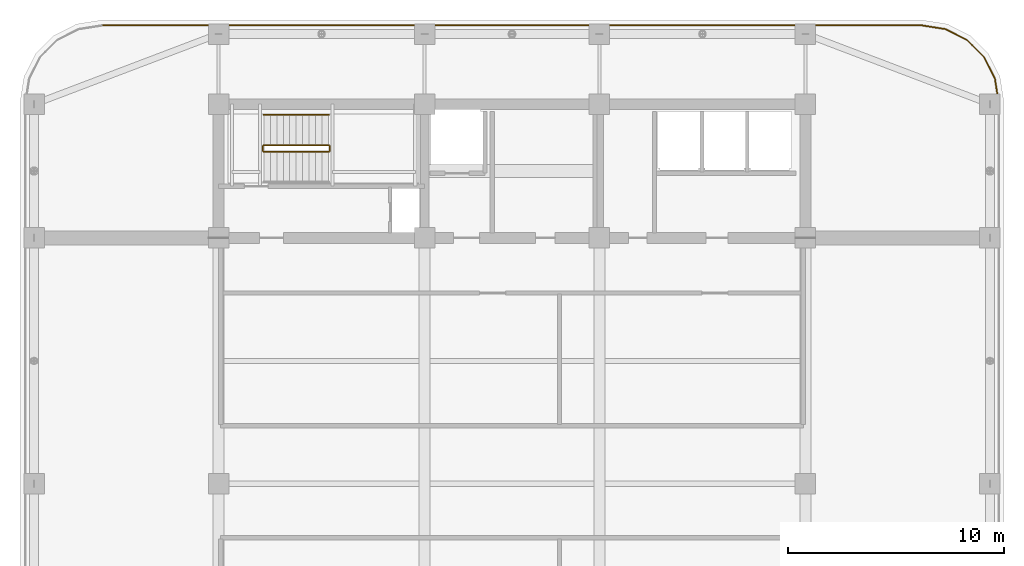
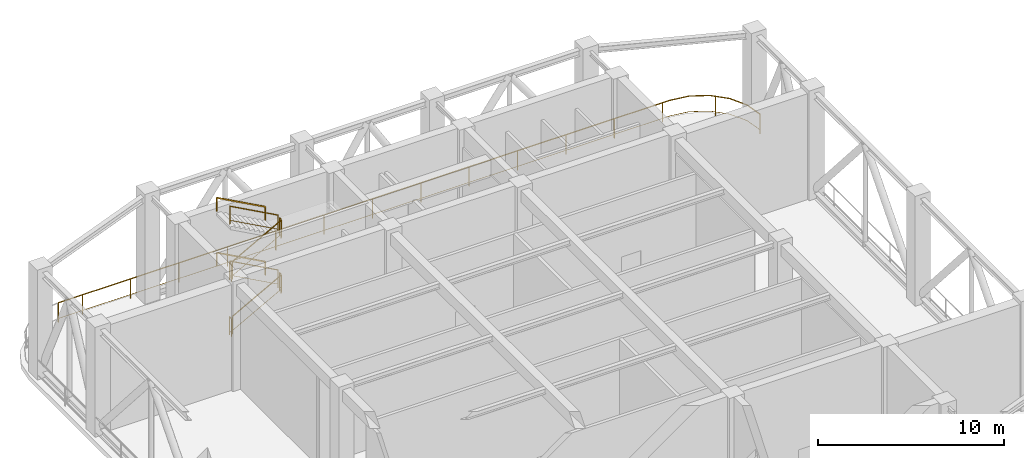
# One storey, part 20 of 20: 11 railings.
"""IFC4 building model written with IfcOpenShell, lengths in metres."""

from ifc_helpers import new_model, si_unit, direction, frame, origin, origin_2d, place, context, subcontext, project, spatial, rectangle, extrude, material, type_object, element, save


model = new_model("IFC4")

# Units and contexts
model_context = context("Model", 3, precision=1e-05, world=origin(), true_north=direction((0.0, 1.0)))
body_context = subcontext(model_context, "Body", "Model", "MODEL_VIEW")
ifc_project = project(units=[si_unit("LENGTHUNIT", "METRE"), si_unit("AREAUNIT", "SQUARE_METRE"), si_unit("VOLUMEUNIT", "CUBIC_METRE"), si_unit("PLANEANGLEUNIT", "RADIAN"), si_unit("MASSUNIT", "GRAM", prefix="KILO")], contexts=[model_context])

# Site, building, storey
site_placement = place(None, origin())
site = spatial("IfcSite", under=ifc_project, at=site_placement, CompositionType="ELEMENT")
building_placement = place(site_placement, origin())
building = spatial("IfcBuilding", under=site, at=building_placement, Name="Svetorya Sky Lyceum", CompositionType="ELEMENT")
storey_placement = place(building_placement, frame((0.0, 0.0, 195.89990234375)))
storey = spatial("IfcBuildingStorey", under=building, at=storey_placement, Name="L49", CompositionType="ELEMENT", Elevation=195.89990234375)

# Railings
ifc_material_1 = material(Name="Hot-dip galvanized wind-portal guard")
railing_type_1 = type_object("IfcRailingType", Name="RL-PRT-1300", PredefinedType="GUARDRAIL", material=ifc_material_1)
railing_1_placement = place(storey_placement, frame((61.75, 45.89990234375, 0.0)))
element("IfcRailing", 1, at=railing_1_placement, inside=storey, type_object=railing_type_1, Name="L49 Wind-Portal Deck Guard Quadrant 3", PredefinedType="GUARDRAIL", context=body_context, shape_type="SweptSolid", body=[
    extrude(rectangle(XDim=0.048095703125, YDim=0.048095703125, at=origin_2d()), frame((0.0, 0.0, 1.27587890625), z_axis=(-0.156267295296, 0.98771480318, 0.0), x_axis=(-0.98771480318, -0.156267295296, 0.0)), (0.0, 0.0, 1.0), 1.11083984375),
    extrude(rectangle(XDim=0.02392578125, YDim=0.02392578125, at=origin_2d()), frame((0.0, 0.0, 0.25), z_axis=(-0.156267295296, 0.98771480318, 0.0), x_axis=(-0.98771480318, -0.156267295296, 0.0)), (0.0, 0.0, 1.0), 1.11083984375),
    extrude(rectangle(XDim=0.048095703125, YDim=0.048095703125, at=origin_2d()), frame((-0.173583984375, 1.09716796875, 1.27587890625), z_axis=(-0.454146394371, 0.890927074726, 0.0), x_axis=(-0.890927074726, -0.454146394371, 0.0)), (0.0, 0.0, 1.0), 1.110595703125),
    extrude(rectangle(XDim=0.02392578125, YDim=0.02392578125, at=origin_2d()), frame((-0.173583984375, 1.09716796875, 0.25), z_axis=(-0.454146394371, 0.890927074726, 0.0), x_axis=(-0.890927074726, -0.454146394371, 0.0)), (0.0, 0.0, 1.0), 1.110595703125),
    extrude(rectangle(XDim=0.048095703125, YDim=0.048095703125, at=origin_2d()), frame((-0.677978515625, 2.086669921875, 1.27587890625), z_axis=(-0.707106781187, 0.707106781187, 0.0), x_axis=(-0.707106781187, -0.707106781187, 0.0)), (0.0, 0.0, 1.0), 1.11083984375),
    extrude(rectangle(XDim=0.02392578125, YDim=0.02392578125, at=origin_2d()), frame((-0.677978515625, 2.086669921875, 0.25), z_axis=(-0.707106781187, 0.707106781187, 0.0), x_axis=(-0.707106781187, -0.707106781187, 0.0)), (0.0, 0.0, 1.0), 1.11083984375),
    extrude(rectangle(XDim=0.048095703125, YDim=0.048095703125, at=origin_2d()), frame((-1.46337890625, 2.8720703125, 1.27587890625), z_axis=(-0.890927074726, 0.454146394371, 0.0), x_axis=(-0.454146394371, -0.890927074726, 0.0)), (0.0, 0.0, 1.0), 1.110595703125),
    extrude(rectangle(XDim=0.02392578125, YDim=0.02392578125, at=origin_2d()), frame((-1.46337890625, 2.8720703125, 0.25), z_axis=(-0.890927074726, 0.454146394371, 0.0), x_axis=(-0.454146394371, -0.890927074726, 0.0)), (0.0, 0.0, 1.0), 1.110595703125),
    extrude(rectangle(XDim=0.048095703125, YDim=0.048095703125, at=origin_2d()), frame((-2.452880859375, 3.37646484375, 1.27587890625), z_axis=(-0.98771480318, 0.156267295296, 0.0), x_axis=(-0.156267295296, -0.98771480318, 0.0)), (0.0, 0.0, 1.0), 1.11083984375),
    extrude(rectangle(XDim=0.02392578125, YDim=0.02392578125, at=origin_2d()), frame((-2.452880859375, 3.37646484375, 0.25), z_axis=(-0.98771480318, 0.156267295296, 0.0), x_axis=(-0.156267295296, -0.98771480318, 0.0)), (0.0, 0.0, 1.0), 1.11083984375),
    extrude(rectangle(XDim=0.048095703125, YDim=0.048095703125, at=origin_2d()), frame((-3.550048828125, 3.550048828125, 1.27587890625), z_axis=(-1.0, 0.0, 0.0), x_axis=(0.0, -1.0, 0.0)), (0.0, 0.0, 1.0), 37.93994140625),
    extrude(rectangle(XDim=0.02392578125, YDim=0.02392578125, at=origin_2d()), frame((-3.550048828125, 3.550048828125, 0.25), z_axis=(-1.0, 0.0, 0.0), x_axis=(0.0, -1.0, 0.0)), (0.0, 0.0, 1.0), 37.93994140625),
    extrude(rectangle(XDim=0.0419921875, YDim=0.0419921875, at=origin_2d()), origin(), (0.0, 0.0, 1.0), 1.251953125),
    extrude(rectangle(XDim=0.0419921875, YDim=0.0419921875, at=origin_2d()), frame((-1.228515625, 2.63720703125, 0.0)), (0.0, 0.0, 1.0), 1.251953125),
    extrude(rectangle(XDim=0.0419921875, YDim=0.0419921875, at=origin_2d()), frame((-3.996337890625, 3.550048828125, 0.0)), (0.0, 0.0, 1.0), 1.251953125),
    extrude(rectangle(XDim=0.0419921875, YDim=0.0419921875, at=origin_2d()), frame((-6.996337890625, 3.550048828125, 0.0)), (0.0, 0.0, 1.0), 1.251953125),
    extrude(rectangle(XDim=0.0419921875, YDim=0.0419921875, at=origin_2d()), frame((-9.996337890625, 3.550048828125, 0.0)), (0.0, 0.0, 1.0), 1.251953125),
    extrude(rectangle(XDim=0.0419921875, YDim=0.0419921875, at=origin_2d()), frame((-12.996337890625, 3.550048828125, 0.0)), (0.0, 0.0, 1.0), 1.251953125),
    extrude(rectangle(XDim=0.0419921875, YDim=0.0419921875, at=origin_2d()), frame((-15.996337890625, 3.550048828125, 0.0)), (0.0, 0.0, 1.0), 1.251953125),
    extrude(rectangle(XDim=0.0419921875, YDim=0.0419921875, at=origin_2d()), frame((-18.996337890625, 3.550048828125, 0.0)), (0.0, 0.0, 1.0), 1.251953125),
    extrude(rectangle(XDim=0.0419921875, YDim=0.0419921875, at=origin_2d()), frame((-21.996337890625, 3.550048828125, 0.0)), (0.0, 0.0, 1.0), 1.251953125),
    extrude(rectangle(XDim=0.0419921875, YDim=0.0419921875, at=origin_2d()), frame((-24.996337890625, 3.550048828125, 0.0)), (0.0, 0.0, 1.0), 1.251953125),
    extrude(rectangle(XDim=0.0419921875, YDim=0.0419921875, at=origin_2d()), frame((-27.996337890625, 3.550048828125, 0.0)), (0.0, 0.0, 1.0), 1.251953125),
    extrude(rectangle(XDim=0.0419921875, YDim=0.0419921875, at=origin_2d()), frame((-30.996337890625, 3.550048828125, 0.0)), (0.0, 0.0, 1.0), 1.251953125),
    extrude(rectangle(XDim=0.0419921875, YDim=0.0419921875, at=origin_2d()), frame((-33.996337890625, 3.550048828125, 0.0)), (0.0, 0.0, 1.0), 1.251953125),
    extrude(rectangle(XDim=0.0419921875, YDim=0.0419921875, at=origin_2d()), frame((-36.996337890625, 3.550048828125, 0.0)), (0.0, 0.0, 1.0), 1.251953125),
    extrude(rectangle(XDim=0.0419921875, YDim=0.0419921875, at=origin_2d()), frame((-39.996337890625, 3.550048828125, 0.0)), (0.0, 0.0, 1.0), 1.251953125),
    extrude(rectangle(XDim=0.0419921875, YDim=0.0419921875, at=origin_2d()), frame((-41.489990234375, 3.550048828125, 0.0)), (0.0, 0.0, 1.0), 1.251953125),
])
ifc_material_2 = material(Name="Painted galvanized stair well guard")
railing_type_2 = type_object("IfcRailingType", Name="RL-STR-GUARD-1200", PredefinedType="GUARDRAIL", material=ifc_material_2)
railing_2_placement = place(storey_placement, frame((27.699951171875, 43.60009765625, 0.163818359375)))
element("IfcRailing", 2, at=railing_2_placement, inside=storey, type_object=railing_type_2, Name="L49 ST-N stair guard 1", PredefinedType="GUARDRAIL", context=body_context, shape_type="SweptSolid", body=[
    extrude(rectangle(XDim=0.048095703125, YDim=0.048095703125, at=origin_2d()), frame((0.0, 0.0, 1.17578125), z_axis=(0.877911954615, 0.0, 0.47882209634), x_axis=(0.0, 1.0, 0.0)), (0.0, 0.0, 1.0), 3.417236328125),
    extrude(rectangle(XDim=0.02392578125, YDim=0.02392578125, at=origin_2d()), frame((0.0, 0.0, 0.25), z_axis=(0.877911954615, 0.0, 0.47882209634), x_axis=(0.0, 1.0, 0.0)), (0.0, 0.0, 1.0), 3.417236328125),
    extrude(rectangle(XDim=0.0419921875, YDim=0.0419921875, at=origin_2d()), origin(), (0.0, 0.0, 1.0), 1.15185546875),
    extrude(rectangle(XDim=0.0419921875, YDim=0.0419921875, at=origin_2d()), frame((3.0, 0.0, 1.63623046875)), (0.0, 0.0, 1.0), 1.15185546875),
])
railing_3_placement = place(storey_placement, frame((30.75, 43.64990234375, 1.800048828125)))
element("IfcRailing", 3, at=railing_3_placement, inside=storey, type_object=railing_type_2, Name="L49 ST-N stair guard 2", PredefinedType="GUARDRAIL", context=body_context, shape_type="SweptSolid", body=[
    extrude(rectangle(XDim=0.048095703125, YDim=0.048095703125, at=origin_2d()), frame((0.0, 0.0, 1.17578125), z_axis=(0.0, 1.0, 0.0), x_axis=(-1.0, 0.0, 0.0)), (0.0, 0.0, 1.0), 0.2001953125),
    extrude(rectangle(XDim=0.02392578125, YDim=0.02392578125, at=origin_2d()), frame((0.0, 0.0, 0.25), z_axis=(0.0, 1.0, 0.0), x_axis=(-1.0, 0.0, 0.0)), (0.0, 0.0, 1.0), 0.2001953125),
    extrude(rectangle(XDim=0.0419921875, YDim=0.0419921875, at=origin_2d()), origin(), (0.0, 0.0, 1.0), 1.15185546875),
    extrude(rectangle(XDim=0.0419921875, YDim=0.0419921875, at=origin_2d()), frame((0.0, 0.2001953125, 0.0)), (0.0, 0.0, 1.0), 1.15185546875),
])
railing_4_placement = place(storey_placement, frame((30.699951171875, 43.89990234375, 1.963623046875)))
element("IfcRailing", 4, at=railing_4_placement, inside=storey, type_object=railing_type_2, Name="L49 ST-N stair guard 3", PredefinedType="GUARDRAIL", context=body_context, shape_type="SweptSolid", body=[
    extrude(rectangle(XDim=0.048095703125, YDim=0.048095703125, at=origin_2d()), frame((0.0, 0.0, 1.17578125), z_axis=(-0.877881921179, 0.0, 0.478877158013), x_axis=(0.0, -1.0, 0.0)), (0.0, 0.0, 1.0), 3.417236328125),
    extrude(rectangle(XDim=0.02392578125, YDim=0.02392578125, at=origin_2d()), frame((0.0, 0.0, 0.25), z_axis=(-0.877881921179, 0.0, 0.478877158013), x_axis=(0.0, -1.0, 0.0)), (0.0, 0.0, 1.0), 3.417236328125),
    extrude(rectangle(XDim=0.0419921875, YDim=0.0419921875, at=origin_2d()), origin(), (0.0, 0.0, 1.0), 1.15185546875),
    extrude(rectangle(XDim=0.0419921875, YDim=0.0419921875, at=origin_2d()), frame((-3.0, 0.0, 1.636474609375)), (0.0, 0.0, 1.0), 1.15185546875),
])
railing_5_placement = place(storey_placement, frame((27.64990234375, 43.64990234375, 3.60009765625)))
element("IfcRailing", 5, at=railing_5_placement, inside=storey, type_object=railing_type_2, Name="L49 ST-N stair guard 4", PredefinedType="GUARDRAIL", context=body_context, shape_type="SweptSolid", body=[
    extrude(rectangle(XDim=0.048095703125, YDim=0.048095703125, at=origin_2d()), frame((0.0, 0.0, 1.17578125), z_axis=(0.0, 1.0, 0.0), x_axis=(-1.0, 0.0, 0.0)), (0.0, 0.0, 1.0), 0.2001953125),
    extrude(rectangle(XDim=0.02392578125, YDim=0.02392578125, at=origin_2d()), frame((0.0, 0.0, 0.25), z_axis=(0.0, 1.0, 0.0), x_axis=(-1.0, 0.0, 0.0)), (0.0, 0.0, 1.0), 0.2001953125),
    extrude(rectangle(XDim=0.0419921875, YDim=0.0419921875, at=origin_2d()), origin(), (0.0, 0.0, 1.0), 1.15185546875),
    extrude(rectangle(XDim=0.0419921875, YDim=0.0419921875, at=origin_2d()), frame((0.0, 0.2001953125, 0.0)), (0.0, 0.0, 1.0), 1.15185546875),
])
railing_6_placement = place(storey_placement, frame((27.699951171875, 43.60009765625, 3.763671875)))
element("IfcRailing", 6, at=railing_6_placement, inside=storey, type_object=railing_type_2, Name="L49 ST-N stair guard 5", PredefinedType="GUARDRAIL", context=body_context, shape_type="SweptSolid", body=[
    extrude(rectangle(XDim=0.048095703125, YDim=0.048095703125, at=origin_2d()), frame((0.0, 0.0, 1.17578125), z_axis=(0.877881921179, 0.0, 0.478877158013), x_axis=(0.0, 1.0, 0.0)), (0.0, 0.0, 1.0), 3.417236328125),
    extrude(rectangle(XDim=0.02392578125, YDim=0.02392578125, at=origin_2d()), frame((0.0, 0.0, 0.25), z_axis=(0.877881921179, 0.0, 0.478877158013), x_axis=(0.0, 1.0, 0.0)), (0.0, 0.0, 1.0), 3.417236328125),
    extrude(rectangle(XDim=0.0419921875, YDim=0.0419921875, at=origin_2d()), origin(), (0.0, 0.0, 1.0), 1.15185546875),
    extrude(rectangle(XDim=0.0419921875, YDim=0.0419921875, at=origin_2d()), frame((3.0, 0.0, 1.636474609375)), (0.0, 0.0, 1.0), 1.15185546875),
])
railing_7_placement = place(storey_placement, frame((30.75, 43.64990234375, 5.400146484375)))
element("IfcRailing", 7, at=railing_7_placement, inside=storey, type_object=railing_type_2, Name="L49 ST-N stair guard 6", PredefinedType="GUARDRAIL", context=body_context, shape_type="SweptSolid", body=[
    extrude(rectangle(XDim=0.048095703125, YDim=0.048095703125, at=origin_2d()), frame((0.0, 0.0, 1.17578125), z_axis=(0.0, 1.0, 0.0), x_axis=(-1.0, 0.0, 0.0)), (0.0, 0.0, 1.0), 0.2001953125),
    extrude(rectangle(XDim=0.02392578125, YDim=0.02392578125, at=origin_2d()), frame((0.0, 0.0, 0.25), z_axis=(0.0, 1.0, 0.0), x_axis=(-1.0, 0.0, 0.0)), (0.0, 0.0, 1.0), 0.2001953125),
    extrude(rectangle(XDim=0.0419921875, YDim=0.0419921875, at=origin_2d()), origin(), (0.0, 0.0, 1.0), 1.15185546875),
    extrude(rectangle(XDim=0.0419921875, YDim=0.0419921875, at=origin_2d()), frame((0.0, 0.2001953125, 0.0)), (0.0, 0.0, 1.0), 1.15185546875),
])
railing_8_placement = place(storey_placement, frame((30.699951171875, 43.89990234375, 5.563720703125)))
element("IfcRailing", 8, at=railing_8_placement, inside=storey, type_object=railing_type_2, Name="L49 ST-N stair guard 7", PredefinedType="GUARDRAIL", context=body_context, shape_type="SweptSolid", body=[
    extrude(rectangle(XDim=0.048095703125, YDim=0.048095703125, at=origin_2d()), frame((0.0, 0.0, 1.17578125), z_axis=(-0.877881921179, 0.0, 0.478877158013), x_axis=(0.0, -1.0, 0.0)), (0.0, 0.0, 1.0), 3.417236328125),
    extrude(rectangle(XDim=0.02392578125, YDim=0.02392578125, at=origin_2d()), frame((0.0, 0.0, 0.25), z_axis=(-0.877881921179, 0.0, 0.478877158013), x_axis=(0.0, -1.0, 0.0)), (0.0, 0.0, 1.0), 3.417236328125),
    extrude(rectangle(XDim=0.0419921875, YDim=0.0419921875, at=origin_2d()), origin(), (0.0, 0.0, 1.0), 1.15185546875),
    extrude(rectangle(XDim=0.0419921875, YDim=0.0419921875, at=origin_2d()), frame((-3.0, 0.0, 1.636474609375)), (0.0, 0.0, 1.0), 1.15185546875),
])
railing_9_placement = place(storey_placement, frame((27.64990234375, 43.64990234375, 0.0)))
element("IfcRailing", 9, at=railing_9_placement, inside=storey, type_object=railing_type_2, Name="L49 ST-N stair guard 8", PredefinedType="GUARDRAIL", context=body_context, shape_type="SweptSolid", body=[
    extrude(rectangle(XDim=0.048095703125, YDim=0.048095703125, at=origin_2d()), frame((0.0, 0.0, 1.17578125), z_axis=(0.0, 1.0, 0.0), x_axis=(-1.0, 0.0, 0.0)), (0.0, 0.0, 1.0), 0.2001953125),
    extrude(rectangle(XDim=0.02392578125, YDim=0.02392578125, at=origin_2d()), frame((0.0, 0.0, 0.25), z_axis=(0.0, 1.0, 0.0), x_axis=(-1.0, 0.0, 0.0)), (0.0, 0.0, 1.0), 0.2001953125),
    extrude(rectangle(XDim=0.0419921875, YDim=0.0419921875, at=origin_2d()), origin(), (0.0, 0.0, 1.0), 1.15185546875),
    extrude(rectangle(XDim=0.0419921875, YDim=0.0419921875, at=origin_2d()), frame((0.0, 0.2001953125, 0.0)), (0.0, 0.0, 1.0), 1.15185546875),
])
ifc_material_3 = material(Name="Brushed stainless AISI 304 stair handrail")
railing_type_3 = type_object("IfcRailingType", Name="RL-STR-HAND-920", PredefinedType="HANDRAIL", material=ifc_material_3)
for number, where, name in (
    (10, (30.699951171875, 45.300048828125, 1.963623046875), "L49 ST-N stair handrail 2"),
    (11, (30.699951171875, 45.300048828125, 5.563720703125), "L49 ST-N stair handrail 4"),
):
    element("IfcRailing", number, at=place(storey_placement, frame(where)), inside=storey, type_object=railing_type_3, Name=name, PredefinedType="HANDRAIL", context=body_context, shape_type="SweptSolid", body=[
        extrude(rectangle(XDim=0.048095703125, YDim=0.048095703125, at=origin_2d()), frame((0.0, 0.0, 0.8759765625), z_axis=(-0.877881921179, 0.0, 0.478877158013), x_axis=(0.0, -1.0, 0.0)), (0.0, 0.0, 1.0), 3.417236328125),
        extrude(rectangle(XDim=0.0419921875, YDim=0.0419921875, at=origin_2d()), origin(), (0.0, 0.0, 1.0), 0.851806640625),
        extrude(rectangle(XDim=0.0419921875, YDim=0.0419921875, at=origin_2d()), frame((-3.0, 0.0, 1.636474609375)), (0.0, 0.0, 1.0), 0.851806640625),
    ])

save(model, "model.ifc")
